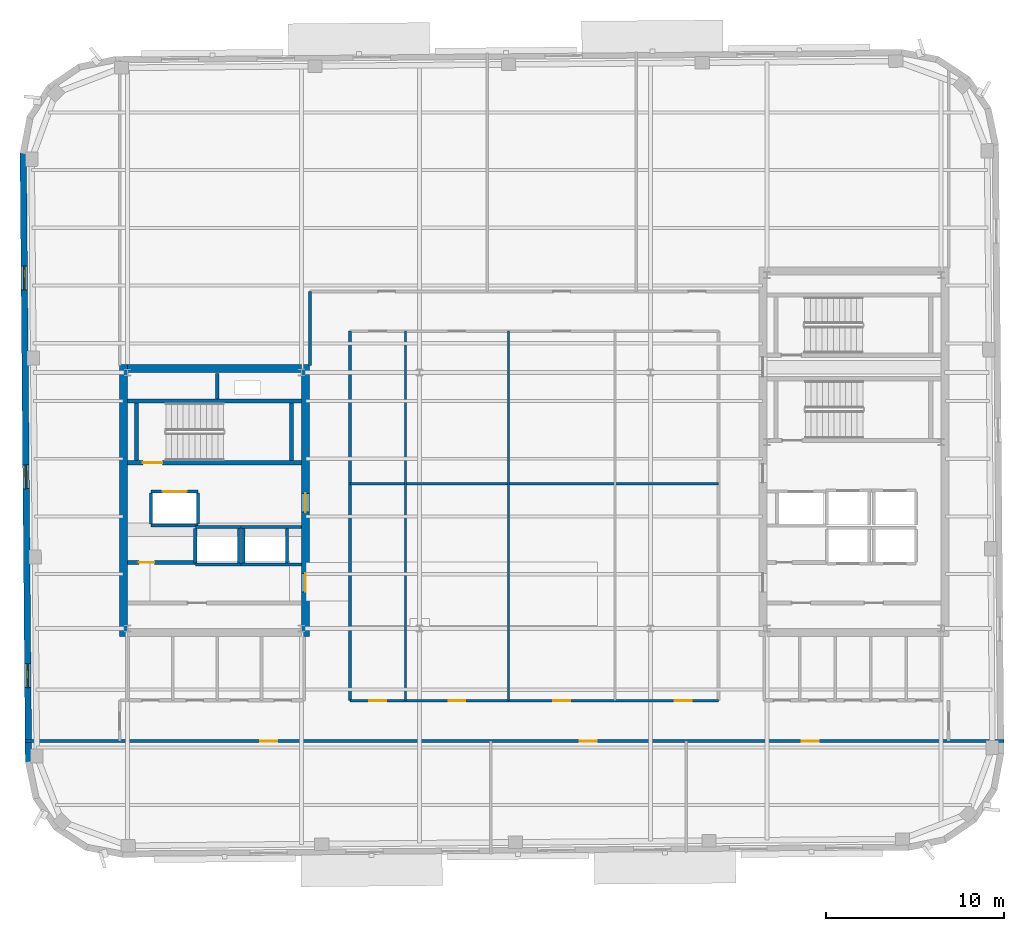
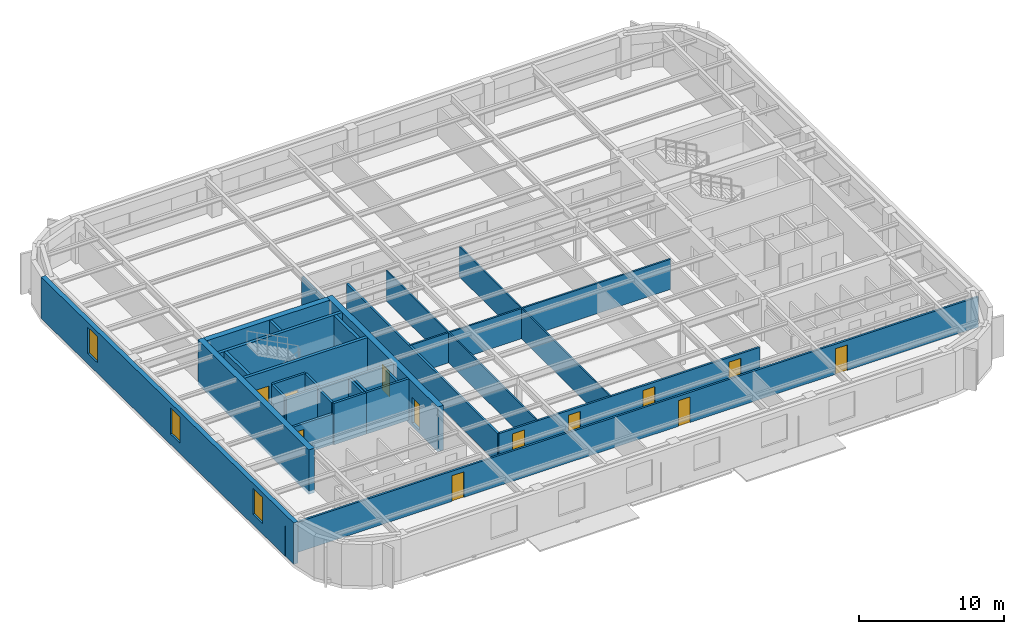
# One storey, part 7 of 15: 29 walls, 12 doors, 3 windows, 15 openings.
"""IFC4 building model written with IfcOpenShell, lengths in metres."""

from ifc_helpers import new_model, si_unit, direction, frame, frame_2d, origin, place, context, subcontext, project, spatial, rectangle, extrude, material, layer, layer_set, type_object, element, fill, save


model = new_model("IFC4")

# Units and contexts
model_context = context("Model", 3, precision=1e-05, world=origin(), true_north=direction((0.0, 1.0)))
body_context = subcontext(model_context, "Body", "Model", "MODEL_VIEW")
ifc_project = project(units=[si_unit("LENGTHUNIT", "METRE"), si_unit("AREAUNIT", "SQUARE_METRE"), si_unit("VOLUMEUNIT", "CUBIC_METRE"), si_unit("PLANEANGLEUNIT", "RADIAN"), si_unit("MASSUNIT", "GRAM", prefix="KILO")], contexts=[model_context])

# Site, building, storey
site_placement = place(None, origin())
site = spatial("IfcSite", under=ifc_project, at=site_placement, CompositionType="ELEMENT")
building_placement = place(site_placement, origin())
building = spatial("IfcBuilding", under=site, at=building_placement, Name="Kolvaren Arena Tower", CompositionType="ELEMENT")
storey_placement = place(building_placement, frame((0.0, 0.0, 304.89990234375)))
storey = spatial("IfcBuildingStorey", under=building, at=storey_placement, Name="L75", CompositionType="ELEMENT", Elevation=304.89990234375)

# Wall, openings, doors
ifc_material_1 = material(Name="Gypsum board acoustic assembly", Category="gypsum")
ifc_layer_1 = layer(ifc_material_1, 0.159912109375)
ifc_layer_set_1 = layer_set([ifc_layer_1], Name="Gypsum board acoustic assembly")
wall_type_1 = type_object("IfcWallType", Name="CORR-160", PredefinedType="PARTITIONING", material=ifc_layer_set_1)
wall_1_placement = place(storey_placement, frame((8.790283203125, 13.10009765625, 0.0), z_axis=(0.0, 0.0, 1.0), x_axis=(1.0, 0.0, 0.0)))
wall_1 = element("IfcWall", 1, at=wall_1_placement, inside=storey, type_object=wall_type_1, Name="Interior Partition Wall (L75)", PredefinedType="PARTITIONING", context=body_context, shape_type="SweptSolid", body=[
    extrude(rectangle(XDim=55.10205078125, YDim=0.159912109375, at=frame_2d((27.551025390625, 0.0))), origin(), (0.0, 0.0, 1.0), 2.5400390625),
])
opening_1_placement = place(wall_1_placement, frame((13.234619140625, 0.0, 0.0)))
opening_1 = element("IfcOpeningElement", 2, at=opening_1_placement, cuts=wall_1, Name="Opening D05", PredefinedType="OPENING", context=body_context, shape_type="SweptSolid", body=[
    extrude(rectangle(XDim=0.949951171875, YDim=2.14990234375, at=frame_2d((0.47509765625, 1.074951171875))), frame((0.0, 0.08984375, 0.0), z_axis=(0.0, -1.0, 0.0), x_axis=(1.0, 0.0, 0.0)), (0.0, 0.0, 1.0), 0.179931640625),
])
opening_2_placement = place(wall_1_placement, frame((31.234619140625, 0.0, 0.0)))
opening_2 = element("IfcOpeningElement", 3, at=opening_2_placement, cuts=wall_1, Name="Opening D05", PredefinedType="OPENING", context=body_context, shape_type="SweptSolid", body=[
    extrude(rectangle(XDim=0.949951171875, YDim=2.14990234375, at=frame_2d((0.47509765625, 1.074951171875))), frame((0.0, 0.08984375, 0.0), z_axis=(0.0, -1.0, 0.0), x_axis=(1.0, 0.0, 0.0)), (0.0, 0.0, 1.0), 0.179931640625),
])
opening_3_placement = place(wall_1_placement, frame((43.734619140625, 0.0, 0.0)))
opening_3 = element("IfcOpeningElement", 4, at=opening_3_placement, cuts=wall_1, Name="Opening D05", PredefinedType="OPENING", context=body_context, shape_type="SweptSolid", body=[
    extrude(rectangle(XDim=0.949951171875, YDim=2.14990234375, at=frame_2d((0.47509765625, 1.074951171875))), frame((0.0, 0.08984375, 0.0), z_axis=(0.0, -1.0, 0.0), x_axis=(1.0, 0.0, 0.0)), (0.0, 0.0, 1.0), 0.179931640625),
])
ifc_material_2 = material(Name="Solid-core oak acoustic office door", Category="wood")
door_type_1 = type_object("IfcDoorType", Name="DOOR-OF-095", OperationType="NOTDEFINED", PredefinedType="DOOR", material=ifc_material_2)
door_1_placement = place(opening_1_placement, origin())
door_1 = element("IfcDoor", 5, at=door_1_placement, inside=storey, type_object=door_type_1, Name="Open Plan Office Door (L75)", OperationType="SINGLE_SWING_LEFT", OverallHeight=2.14990234375, OverallWidth=0.949951171875, PredefinedType="DOOR", context=body_context, shape_type="SweptSolid", body=[
    extrude(rectangle(XDim=0.949951171875, YDim=2.14990234375, at=frame_2d((0.47509765625, 1.074951171875))), frame((0.0, 0.02490234375, 0.0), z_axis=(0.0, -1.0, 0.0), x_axis=(1.0, 0.0, 0.0)), (0.0, 0.0, 1.0), 0.050048828125),
])
fill(opening_1, door_1)
door_2_placement = place(opening_2_placement, origin())
door_2 = element("IfcDoor", 6, at=door_2_placement, inside=storey, type_object=door_type_1, Name="Tenant Reception Area Door (L75)", OperationType="SINGLE_SWING_RIGHT", OverallHeight=2.14990234375, OverallWidth=0.949951171875, PredefinedType="DOOR", context=body_context, shape_type="SweptSolid", body=[
    extrude(rectangle(XDim=0.949951171875, YDim=2.14990234375, at=frame_2d((0.47509765625, 1.074951171875))), frame((0.0, 0.02490234375, 0.0), z_axis=(0.0, -1.0, 0.0), x_axis=(1.0, 0.0, 0.0)), (0.0, 0.0, 1.0), 0.050048828125),
])
fill(opening_2, door_2)
door_3_placement = place(opening_3_placement, origin())
door_3 = element("IfcDoor", 7, at=door_3_placement, inside=storey, type_object=door_type_1, Name="Client Lounge Door (L75)", OperationType="SINGLE_SWING_LEFT", OverallHeight=2.14990234375, OverallWidth=0.949951171875, PredefinedType="DOOR", context=body_context, shape_type="SweptSolid", body=[
    extrude(rectangle(XDim=0.949951171875, YDim=2.14990234375, at=frame_2d((0.47509765625, 1.074951171875))), frame((0.0, 0.02490234375, 0.0), z_axis=(0.0, -1.0, 0.0), x_axis=(1.0, 0.0, 0.0)), (0.0, 0.0, 1.0), 0.050048828125),
])
fill(opening_3, door_3)

# Wall
wall_2_placement = place(storey_placement, frame((24.820068359375, 34.25, 0.0), z_axis=(0.0, 0.0, 1.0), x_axis=(0.0, 1.0, 0.0)))
element("IfcWall", 8, at=wall_2_placement, inside=storey, type_object=wall_type_1, Name="Interior Partition Wall (L75)", PredefinedType="PARTITIONING", context=body_context, shape_type="SweptSolid", body=[
    extrude(rectangle(XDim=4.169921875, YDim=0.159912109375, at=frame_2d((2.0849609375, 0.0))), origin(), (0.0, 0.0, 1.0), 2.5400390625),
])

# Wall, openings, doors
wall_3_placement = place(storey_placement, frame((27.080078125, 15.3798828125, 0.0), z_axis=(0.0, 0.0, 1.0), x_axis=(1.0, 0.0, 0.0)))
wall_3 = element("IfcWall", 9, at=wall_3_placement, inside=storey, type_object=wall_type_1, Name="Interior Partition Wall (L75)", PredefinedType="PARTITIONING", context=body_context, shape_type="SweptSolid", body=[
    extrude(rectangle(XDim=20.739990234375, YDim=0.159912109375, at=frame_2d((10.3701171875, 0.0))), origin(), (0.0, 0.0, 1.0), 2.5400390625),
])
opening_4_placement = place(wall_3_placement, frame((1.094970703125, 0.0, 0.0)))
opening_4 = element("IfcOpeningElement", 10, at=opening_4_placement, cuts=wall_3, Name="Opening D05", PredefinedType="OPENING", context=body_context, shape_type="SweptSolid", body=[
    extrude(rectangle(XDim=0.949951171875, YDim=2.14990234375, at=frame_2d((0.47509765625, 1.074951171875))), frame((0.0, 0.08984375, 0.0), z_axis=(0.0, -1.0, 0.0), x_axis=(1.0, 0.0, 0.0)), (0.0, 0.0, 1.0), 0.179931640625),
])
opening_5_placement = place(wall_3_placement, frame((5.544921875, 0.0, 0.0)))
opening_5 = element("IfcOpeningElement", 11, at=opening_5_placement, cuts=wall_3, Name="Opening D05", PredefinedType="OPENING", context=body_context, shape_type="SweptSolid", body=[
    extrude(rectangle(XDim=0.949951171875, YDim=2.14990234375, at=frame_2d((0.47509765625, 1.074951171875))), frame((0.0, 0.08984375, 0.0), z_axis=(0.0, -1.0, 0.0), x_axis=(1.0, 0.0, 0.0)), (0.0, 0.0, 1.0), 0.179931640625),
])
opening_6_placement = place(wall_3_placement, frame((11.445068359375, 0.0, 0.0)))
opening_6 = element("IfcOpeningElement", 12, at=opening_6_placement, cuts=wall_3, Name="Opening D05", PredefinedType="OPENING", context=body_context, shape_type="SweptSolid", body=[
    extrude(rectangle(XDim=0.949951171875, YDim=2.14990234375, at=frame_2d((0.47509765625, 1.074951171875))), frame((0.0, 0.08984375, 0.0), z_axis=(0.0, -1.0, 0.0), x_axis=(1.0, 0.0, 0.0)), (0.0, 0.0, 1.0), 0.179931640625),
])
opening_7_placement = place(wall_3_placement, frame((18.294921875, 0.0, 0.0)))
opening_7 = element("IfcOpeningElement", 13, at=opening_7_placement, cuts=wall_3, Name="Opening D05", PredefinedType="OPENING", context=body_context, shape_type="SweptSolid", body=[
    extrude(rectangle(XDim=0.949951171875, YDim=2.14990234375, at=frame_2d((0.47509765625, 1.074951171875))), frame((0.0, 0.08984375, 0.0), z_axis=(0.0, -1.0, 0.0), x_axis=(1.0, 0.0, 0.0)), (0.0, 0.0, 1.0), 0.179931640625),
])
door_4_placement = place(opening_4_placement, origin())
door_4 = element("IfcDoor", 14, at=door_4_placement, inside=storey, type_object=door_type_1, Name="Tenant Reception Area Door (L75)", OperationType="SINGLE_SWING_RIGHT", OverallHeight=2.14990234375, OverallWidth=0.949951171875, PredefinedType="DOOR", context=body_context, shape_type="SweptSolid", body=[
    extrude(rectangle(XDim=0.949951171875, YDim=2.14990234375, at=frame_2d((0.47509765625, 1.074951171875))), frame((0.0, 0.02490234375, 0.0), z_axis=(0.0, -1.0, 0.0), x_axis=(1.0, 0.0, 0.0)), (0.0, 0.0, 1.0), 0.050048828125),
])
fill(opening_4, door_4)
door_5_placement = place(opening_5_placement, origin())
door_5 = element("IfcDoor", 15, at=door_5_placement, inside=storey, type_object=door_type_1, Name="Design Studio Door (L75)", OperationType="SINGLE_SWING_RIGHT", OverallHeight=2.14990234375, OverallWidth=0.949951171875, PredefinedType="DOOR", context=body_context, shape_type="SweptSolid", body=[
    extrude(rectangle(XDim=0.949951171875, YDim=2.14990234375, at=frame_2d((0.47509765625, 1.074951171875))), frame((0.0, 0.02490234375, 0.0), z_axis=(0.0, -1.0, 0.0), x_axis=(1.0, 0.0, 0.0)), (0.0, 0.0, 1.0), 0.050048828125),
])
fill(opening_5, door_5)
door_6_placement = place(opening_6_placement, origin())
door_6 = element("IfcDoor", 16, at=door_6_placement, inside=storey, type_object=door_type_1, Name="Breakout Pantry and Kitchen Door (L75)", OperationType="SINGLE_SWING_RIGHT", OverallHeight=2.14990234375, OverallWidth=0.949951171875, PredefinedType="DOOR", context=body_context, shape_type="SweptSolid", body=[
    extrude(rectangle(XDim=0.949951171875, YDim=2.14990234375, at=frame_2d((0.47509765625, 1.074951171875))), frame((0.0, 0.02490234375, 0.0), z_axis=(0.0, -1.0, 0.0), x_axis=(1.0, 0.0, 0.0)), (0.0, 0.0, 1.0), 0.050048828125),
])
fill(opening_6, door_6)
door_7_placement = place(opening_7_placement, origin())
door_7 = element("IfcDoor", 17, at=door_7_placement, inside=storey, type_object=door_type_1, Name="Tenant Reception Area Door (L75)", OperationType="SINGLE_SWING_RIGHT", OverallHeight=2.14990234375, OverallWidth=0.949951171875, PredefinedType="DOOR", context=body_context, shape_type="SweptSolid", body=[
    extrude(rectangle(XDim=0.949951171875, YDim=2.14990234375, at=frame_2d((0.47509765625, 1.074951171875))), frame((0.0, 0.02490234375, 0.0), z_axis=(0.0, -1.0, 0.0), x_axis=(1.0, 0.0, 0.0)), (0.0, 0.0, 1.0), 0.050048828125),
])
fill(opening_7, door_7)

# Walls
wall_4_placement = place(storey_placement, frame((27.080078125, 15.3798828125, 0.0), z_axis=(0.0, 0.0, 1.0), x_axis=(0.0, 1.0, 0.0)))
element("IfcWall", 18, at=wall_4_placement, inside=storey, type_object=wall_type_1, Name="Interior Partition Wall (L75)", PredefinedType="PARTITIONING", context=body_context, shape_type="SweptSolid", body=[
    extrude(rectangle(XDim=20.800048828125, YDim=0.159912109375, at=frame_2d((10.39990234375, 0.0))), origin(), (0.0, 0.0, 1.0), 2.5400390625),
])
ifc_material_3 = material(Name="Concrete 55 MPa", Category="concrete")
ifc_layer_2 = layer(ifc_material_3, 0.449951171875)
ifc_layer_set_2 = layer_set([ifc_layer_2], Name="Concrete 55 MPa")
wall_type_2 = type_object("IfcWallType", Name="CWALL-450", PredefinedType="SHEAR", material=ifc_layer_set_2)
wall_5_placement = place(storey_placement, frame((14.324951171875, 19.0, -0.27001953125), z_axis=(0.0, 0.0, 1.0), x_axis=(0.0, 1.0, 0.0)))
element("IfcWall", 19, at=wall_5_placement, inside=storey, type_object=wall_type_2, Name="Core Shear Wall WC-WEST (L75)", PredefinedType="SHEAR", context=body_context, shape_type="SweptSolid", body=[
    extrude(rectangle(XDim=15.300048828125, YDim=0.449951171875, at=frame_2d((7.64990234375, 0.0))), origin(), (0.0, 0.0, 1.0), 3.75),
])

# Wall, openings, doors
wall_6_placement = place(storey_placement, frame((24.574951171875, 19.0, -0.27001953125), z_axis=(0.0, 0.0, 1.0), x_axis=(0.0, 1.0, 0.0)))
wall_6 = element("IfcWall", 20, at=wall_6_placement, inside=storey, type_object=wall_type_2, Name="Core Shear Wall WC-EAST (L75)", PredefinedType="SHEAR", context=body_context, shape_type="SweptSolid", body=[
    extrude(rectangle(XDim=15.300048828125, YDim=0.449951171875, at=frame_2d((7.64990234375, 0.0))), origin(), (0.0, 0.0, 1.0), 3.75),
])
opening_8_placement = place(wall_6_placement, frame((2.5, 0.0, 0.27001953125)))
opening_8 = element("IfcOpeningElement", 21, at=opening_8_placement, cuts=wall_6, Name="Opening D04", PredefinedType="OPENING", context=body_context, shape_type="SweptSolid", body=[
    extrude(rectangle(XDim=1.050048828125, YDim=2.14990234375, at=frame_2d((0.52490234375, 1.074951171875))), frame((0.0, 0.23486328125, 0.0), z_axis=(0.0, -1.0, 0.0), x_axis=(1.0, 0.0, 0.0)), (0.0, 0.0, 1.0), 0.469970703125),
])
opening_9_placement = place(wall_6_placement, frame((7.0, 0.0, 0.27001953125)))
opening_9 = element("IfcOpeningElement", 22, at=opening_9_placement, cuts=wall_6, Name="Opening D04", PredefinedType="OPENING", context=body_context, shape_type="SweptSolid", body=[
    extrude(rectangle(XDim=1.050048828125, YDim=2.14990234375, at=frame_2d((0.52490234375, 1.074951171875))), frame((0.0, 0.23486328125, 0.0), z_axis=(0.0, -1.0, 0.0), x_axis=(1.0, 0.0, 0.0)), (0.0, 0.0, 1.0), 0.469970703125),
])
ifc_material_4 = material(Name="Fire-rated steel lobby door", Category="steel")
door_type_2 = type_object("IfcDoorType", Name="DOOR-FF-105", OperationType="NOTDEFINED", PredefinedType="DOOR", material=ifc_material_4)
door_8_placement = place(opening_8_placement, origin())
door_8 = element("IfcDoor", 23, at=door_8_placement, inside=storey, type_object=door_type_2, Name="West Lift Lobby Fire Door (L75)", OperationType="SINGLE_SWING_LEFT", OverallHeight=2.14990234375, OverallWidth=1.050048828125, PredefinedType="DOOR", context=body_context, shape_type="SweptSolid", body=[
    extrude(rectangle(XDim=1.050048828125, YDim=2.14990234375, at=frame_2d((0.52490234375, 1.074951171875))), frame((0.0, 0.02490234375, 0.0), z_axis=(0.0, -1.0, 0.0), x_axis=(1.0, 0.0, 0.0)), (0.0, 0.0, 1.0), 0.050048828125),
])
fill(opening_8, door_8)
door_9_placement = place(opening_9_placement, origin())
door_9 = element("IfcDoor", 24, at=door_9_placement, inside=storey, type_object=door_type_2, Name="West Firefighter Vestibule Door (L75)", OperationType="SINGLE_SWING_RIGHT", OverallHeight=2.14990234375, OverallWidth=1.050048828125, PredefinedType="DOOR", context=body_context, shape_type="SweptSolid", body=[
    extrude(rectangle(XDim=1.050048828125, YDim=2.14990234375, at=frame_2d((0.52490234375, 1.074951171875))), frame((0.0, 0.02490234375, 0.0), z_axis=(0.0, -1.0, 0.0), x_axis=(1.0, 0.0, 0.0)), (0.0, 0.0, 1.0), 0.050048828125),
])
fill(opening_9, door_9)

# Wall
wall_7_placement = place(storey_placement, frame((14.550048828125, 34.074951171875, -0.27001953125), z_axis=(0.0, 0.0, 1.0), x_axis=(1.0, 0.0, 0.0)))
element("IfcWall", 25, at=wall_7_placement, inside=storey, type_object=wall_type_2, Name="Core Shear Wall WC-NORTH (L75)", PredefinedType="SHEAR", context=body_context, shape_type="SweptSolid", body=[
    extrude(rectangle(XDim=9.800048828125, YDim=0.449951171875, at=frame_2d((4.89990234375, 0.0))), origin(), (0.0, 0.0, 1.0), 3.75),
])

# Wall, openings, windows
ifc_material_5 = material(Name="Precast concrete C50/60", Category="concrete")
ifc_layer_3 = layer(ifc_material_5, 0.360107421875)
ifc_layer_set_3 = layer_set([ifc_layer_3], Name="Precast concrete C50/60")
wall_type_3 = type_object("IfcWallType", Name="EXT-PIER2", PredefinedType="SOLIDWALL", material=ifc_layer_set_3)
wall_8_placement = place(storey_placement, frame((8.980712890625, 11.911865234375, 0.0), z_axis=(0.0, 0.0, 1.0), x_axis=(-0.008726453825, 0.999961923777, 0.0)))
wall_8 = element("IfcWall", 26, at=wall_8_placement, inside=storey, type_object=wall_type_3, Name="Exterior Precast Masonry-Frame Wall (L75)", PredefinedType="SOLIDWALL", context=body_context, shape_type="SweptSolid", body=[
    extrude(rectangle(XDim=34.2998046875, YDim=0.360107421875, at=frame_2d((17.14990234375, 0.0))), origin(), (0.0, 0.0, 1.0), 3.47998046875),
])
opening_10_placement = place(wall_8_placement, frame((4.199951171875, 0.0, 0.8798828125)))
opening_10 = element("IfcOpeningElement", 27, at=opening_10_placement, cuts=wall_8, Name="Opening W04", PredefinedType="OPENING", context=body_context, shape_type="SweptSolid", body=[
    extrude(rectangle(XDim=1.35009765625, YDim=2.199951171875, at=frame_2d((0.675048828125, 1.10009765625))), frame((0.0, 0.18994140625, 0.0), z_axis=(0.0, -1.0, 0.0), x_axis=(1.0, 0.0, 0.0)), (0.0, 0.0, 1.0), 0.380126953125),
])
opening_11_placement = place(wall_8_placement, frame((15.39990234375, 0.0, 0.8798828125)))
opening_11 = element("IfcOpeningElement", 28, at=opening_11_placement, cuts=wall_8, Name="Opening W04", PredefinedType="OPENING", context=body_context, shape_type="SweptSolid", body=[
    extrude(rectangle(XDim=1.35009765625, YDim=2.199951171875, at=frame_2d((0.675048828125, 1.10009765625))), frame((0.0, 0.18994140625, 0.0), z_axis=(0.0, -1.0, 0.0), x_axis=(1.0, 0.0, 0.0)), (0.0, 0.0, 1.0), 0.380126953125),
])
opening_12_placement = place(wall_8_placement, frame((26.60009765625, 0.0, 0.8798828125)))
opening_12 = element("IfcOpeningElement", 29, at=opening_12_placement, cuts=wall_8, Name="Opening W04", PredefinedType="OPENING", context=body_context, shape_type="SweptSolid", body=[
    extrude(rectangle(XDim=1.35009765625, YDim=2.199951171875, at=frame_2d((0.675048828125, 1.10009765625))), frame((0.0, 0.18994140625, 0.0), z_axis=(0.0, -1.0, 0.0), x_axis=(1.0, 0.0, 0.0)), (0.0, 0.0, 1.0), 0.380126953125),
])
ifc_material_6 = material(Name="Triple-glazed curved-facet corner window", Category="glass")
window_type = type_object("IfcWindowType", Name="WIN-CRN-A", PartitioningType="SINGLE_PANEL", PredefinedType="WINDOW", material=ifc_material_6)
window_1_placement = place(opening_10_placement, origin())
window_1 = element("IfcWindow", 30, at=window_1_placement, inside=storey, type_object=window_type, Name="End-Wall Punched Window (L75)", OverallHeight=2.199951171875, OverallWidth=1.35009765625, PartitioningType="SINGLE_PANEL", PredefinedType="WINDOW", context=body_context, shape_type="SweptSolid", body=[
    extrude(rectangle(XDim=1.35009765625, YDim=2.199951171875, at=frame_2d((0.675048828125, 1.10009765625))), frame((0.0, 0.030029296875, 0.0), z_axis=(0.0, -1.0, 0.0), x_axis=(1.0, 0.0, 0.0)), (0.0, 0.0, 1.0), 0.06005859375),
])
fill(opening_10, window_1)
window_2_placement = place(opening_11_placement, origin())
window_2 = element("IfcWindow", 31, at=window_2_placement, inside=storey, type_object=window_type, Name="End-Wall Punched Window (L75)", OverallHeight=2.199951171875, OverallWidth=1.35009765625, PartitioningType="SINGLE_PANEL", PredefinedType="WINDOW", context=body_context, shape_type="SweptSolid", body=[
    extrude(rectangle(XDim=1.35009765625, YDim=2.199951171875, at=frame_2d((0.675048828125, 1.10009765625))), frame((0.0, 0.030029296875, 0.0), z_axis=(0.0, -1.0, 0.0), x_axis=(1.0, 0.0, 0.0)), (0.0, 0.0, 1.0), 0.06005859375),
])
fill(opening_11, window_2)
window_3_placement = place(opening_12_placement, origin())
window_3 = element("IfcWindow", 32, at=window_3_placement, inside=storey, type_object=window_type, Name="End-Wall Punched Window (L75)", OverallHeight=2.199951171875, OverallWidth=1.35009765625, PartitioningType="SINGLE_PANEL", PredefinedType="WINDOW", context=body_context, shape_type="SweptSolid", body=[
    extrude(rectangle(XDim=1.35009765625, YDim=2.199951171875, at=frame_2d((0.675048828125, 1.10009765625))), frame((0.0, 0.030029296875, 0.0), z_axis=(0.0, -1.0, 0.0), x_axis=(1.0, 0.0, 0.0)), (0.0, 0.0, 1.0), 0.06005859375),
])
fill(opening_12, window_3)

# Wall, opening, door
ifc_material_7 = material(Name="Concrete 40 MPa", Category="concrete")
ifc_layer_4 = layer(ifc_material_7, 0.199951171875)
ifc_layer_set_4 = layer_set([ifc_layer_4], Name="Concrete 40 MPa")
wall_type_4 = type_object("IfcWallType", Name="LOBBY-200", PredefinedType="SOLIDWALL", material=ifc_layer_set_4)
wall_9_placement = place(storey_placement, frame((14.550048828125, 23.159912109375, 0.0), z_axis=(0.0, 0.0, 1.0), x_axis=(1.0, 0.0, 0.0)))
wall_9 = element("IfcWall", 33, at=wall_9_placement, inside=storey, type_object=wall_type_4, Name="Core Shaft Wall (L75)", PredefinedType="SOLIDWALL", context=body_context, shape_type="SweptSolid", body=[
    extrude(rectangle(XDim=3.820068359375, YDim=0.199951171875, at=frame_2d((1.91015625, 0.0))), origin(), (0.0, 0.0, 1.0), 2.5400390625),
])
opening_13_placement = place(wall_9_placement, frame((0.64990234375, 0.0, 0.0)))
opening_13 = element("IfcOpeningElement", 34, at=opening_13_placement, cuts=wall_9, Name="Opening D09", PredefinedType="OPENING", context=body_context, shape_type="SweptSolid", body=[
    extrude(rectangle(XDim=0.860107421875, YDim=2.050048828125, at=frame_2d((0.43017578125, 1.02490234375))), frame((0.0, 0.10986328125, 0.0), z_axis=(0.0, -1.0, 0.0), x_axis=(1.0, 0.0, 0.0)), (0.0, 0.0, 1.0), 0.219970703125),
])
ifc_material_8 = material(Name="Fire-rated steel riser access door", Category="steel")
door_type_3 = type_object("IfcDoorType", Name="DOOR-RS-086", OperationType="NOTDEFINED", PredefinedType="DOOR", material=ifc_material_8)
door_10_placement = place(opening_13_placement, origin())
door_10 = element("IfcDoor", 35, at=door_10_placement, inside=storey, type_object=door_type_3, Name="West Document Archive Riser Door (L75)", OperationType="SINGLE_SWING_RIGHT", OverallHeight=2.050048828125, OverallWidth=0.860107421875, PredefinedType="DOOR", context=body_context, shape_type="SweptSolid", body=[
    extrude(rectangle(XDim=0.860107421875, YDim=2.050048828125, at=frame_2d((0.43017578125, 1.02490234375))), frame((0.0, 0.02490234375, 0.0), z_axis=(0.0, -1.0, 0.0), x_axis=(1.0, 0.0, 0.0)), (0.0, 0.0, 1.0), 0.050048828125),
])
fill(opening_13, door_10)

# Walls
ifc_material_9 = material(Name="Gypsum board partition assembly", Category="gypsum")
ifc_layer_5 = layer(ifc_material_9, 0.114990234375)
ifc_layer_set_5 = layer_set([ifc_layer_5], Name="Gypsum board partition assembly")
wall_type_5 = type_object("IfcWallType", Name="PART-115", PredefinedType="PARTITIONING", material=ifc_layer_set_5)
for number, where, z_axis, x_axis, name in (
    (36, (30.199951171875, 15.3798828125, 0.0), (0.0, 0.0, 1.0), (0.0, 1.0, 0.0), "Interior Partition Wall (L75)"),
    (37, (36.0, 15.3798828125, 0.0), (0.0, 0.0, 1.0), (0.0, 1.0, 0.0), "Interior Partition Wall (L75)"),
):
    element("IfcWall", number, at=place(storey_placement, frame(where, z_axis=z_axis, x_axis=x_axis)), inside=storey, type_object=wall_type_5, Name=name, PredefinedType="PARTITIONING", context=body_context, shape_type="SweptSolid", body=[
        extrude(rectangle(XDim=20.800048828125, YDim=0.114990234375, at=frame_2d((10.39990234375, 0.0))), origin(), (0.0, 0.0, 1.0), 2.5400390625),
    ])
ifc_layer_6 = layer(ifc_material_9, 0.135009765625)
ifc_layer_set_6 = layer_set([ifc_layer_6], Name="Gypsum board partition assembly")
wall_type_6 = type_object("IfcWallType", Name="PART-135", PredefinedType="PARTITIONING", material=ifc_layer_set_6)
wall_10_placement = place(storey_placement, frame((27.080078125, 27.60009765625, 0.0), z_axis=(0.0, 0.0, 1.0), x_axis=(1.0, 0.0, 0.0)))
element("IfcWall", 38, at=wall_10_placement, inside=storey, type_object=wall_type_6, Name="Interior Partition Wall (L75)", PredefinedType="PARTITIONING", context=body_context, shape_type="SweptSolid", body=[
    extrude(rectangle(XDim=20.739990234375, YDim=0.135009765625, at=frame_2d((10.3701171875, 0.0))), origin(), (0.0, 0.0, 1.0), 2.5400390625),
])

# Wall, opening, door
ifc_material_10 = material(Name="Concrete 45 MPa", Category="concrete")
ifc_layer_7 = layer(ifc_material_10, 0.25)
ifc_layer_set_7 = layer_set([ifc_layer_7], Name="Concrete 45 MPa")
wall_type_7 = type_object("IfcWallType", Name="SHAFT-250", PredefinedType="SOLIDWALL", material=ifc_layer_set_7)
wall_11_placement = place(storey_placement, frame((24.35009765625, 28.780029296875, 0.0), z_axis=(0.0, 0.0, 1.0), x_axis=(-1.0, 0.0, 0.0)))
wall_11 = element("IfcWall", 39, at=wall_11_placement, inside=storey, type_object=wall_type_7, Name="Core Shaft Wall (L75)", PredefinedType="SOLIDWALL", context=body_context, shape_type="SweptSolid", body=[
    extrude(rectangle(XDim=9.800048828125, YDim=0.239990234375, at=frame_2d((4.89990234375, 0.0))), origin(), (0.0, 0.0, 1.0), 3.47998046875),
])
opening_14_placement = place(wall_11_placement, frame((7.830078125, 0.0, 0.0)))
opening_14 = element("IfcOpeningElement", 40, at=opening_14_placement, cuts=wall_11, Name="Opening D03", PredefinedType="OPENING", context=body_context, shape_type="SweptSolid", body=[
    extrude(rectangle(XDim=1.10009765625, YDim=2.14990234375, at=frame_2d((0.550048828125, 1.074951171875))), frame((0.0, 0.1298828125, 0.0), z_axis=(0.0, -1.0, 0.0), x_axis=(1.0, 0.0, 0.0)), (0.0, 0.0, 1.0), 0.260009765625),
])
ifc_material_11 = material(Name="Fire-rated steel exit stair door", Category="steel")
door_type_4 = type_object("IfcDoorType", Name="DOOR-ST-110", OperationType="NOTDEFINED", PredefinedType="DOOR", material=ifc_material_11)
door_11_placement = place(opening_14_placement, origin())
door_11 = element("IfcDoor", 41, at=door_11_placement, inside=storey, type_object=door_type_4, Name="Stair ST-W1 Fire Door (L75)", OperationType="SINGLE_SWING_RIGHT", OverallHeight=2.14990234375, OverallWidth=1.10009765625, PredefinedType="DOOR", context=body_context, shape_type="SweptSolid", body=[
    extrude(rectangle(XDim=1.10009765625, YDim=2.14990234375, at=frame_2d((0.550048828125, 1.074951171875))), frame((0.0, 0.02490234375, 0.0), z_axis=(0.0, -1.0, 0.0), x_axis=(1.0, 0.0, 0.0)), (0.0, 0.0, 1.0), 0.050048828125),
])
fill(opening_14, door_11)

# Walls
wall_12_placement = place(storey_placement, frame((14.550048828125, 32.25, 0.0), z_axis=(0.0, 0.0, 1.0), x_axis=(1.0, 0.0, 0.0)))
element("IfcWall", 42, at=wall_12_placement, inside=storey, type_object=wall_type_7, Name="Core Shaft Wall (L75)", PredefinedType="SOLIDWALL", context=body_context, shape_type="SweptSolid", body=[
    extrude(rectangle(XDim=9.800048828125, YDim=0.239990234375, at=frame_2d((4.89990234375, 0.0))), origin(), (0.0, 0.0, 1.0), 3.47998046875),
])
for number, where, z_axis, x_axis, name in (
    (43, (15.06005859375, 28.89990234375, 0.0), (0.0, 0.0, 1.0), (0.0, 1.0, 0.0), "Core Shaft Wall (L75)"),
    (44, (23.780029296875, 28.89990234375, 0.0), (0.0, 0.0, 1.0), (0.0, 1.0, 0.0), "Core Shaft Wall (L75)"),
):
    element("IfcWall", number, at=place(storey_placement, frame(where, z_axis=z_axis, x_axis=x_axis)), inside=storey, type_object=wall_type_7, Name=name, PredefinedType="SOLIDWALL", context=body_context, shape_type="SweptSolid", body=[
        extrude(rectangle(XDim=3.22998046875, YDim=0.239990234375, at=frame_2d((1.614990234375, 0.0))), origin(), (0.0, 0.0, 1.0), 3.47998046875),
    ])
wall_13_placement = place(storey_placement, frame((19.60009765625, 32.3701171875, 0.0), z_axis=(0.0, 0.0, 1.0), x_axis=(0.0, 1.0, 0.0)))
element("IfcWall", 45, at=wall_13_placement, inside=storey, type_object=wall_type_7, Name="Core Shaft Wall (L75)", PredefinedType="SOLIDWALL", context=body_context, shape_type="SweptSolid", body=[
    extrude(rectangle(XDim=1.429931640625, YDim=0.199951171875, at=frame_2d((0.71484375, 0.0))), origin(), (0.0, 0.0, 1.0), 3.47998046875),
])
for number, where, z_axis, x_axis, name in (
    (46, (18.3701171875, 25.155029296875, 0.0), (0.0, 0.0, 1.0), (1.0, 0.0, 0.0), "Core Shaft Wall (L75)"),
    (47, (18.3701171875, 23.044921875, 0.0), (0.0, 0.0, 1.0), (1.0, 0.0, 0.0), "Core Shaft Wall (L75)"),
):
    element("IfcWall", number, at=place(storey_placement, frame(where, z_axis=z_axis, x_axis=x_axis)), inside=storey, type_object=wall_type_7, Name=name, PredefinedType="SOLIDWALL", context=body_context, shape_type="SweptSolid", body=[
        extrude(rectangle(XDim=2.579833984375, YDim=0.179931640625, at=frame_2d((1.2900390625, 0.0))), origin(), (0.0, 0.0, 1.0), 3.47998046875),
    ])
for number, where, z_axis, x_axis, name in (
    (48, (18.3701171875, 23.135009765625, 0.0), (0.0, 0.0, 1.0), (0.0, 1.0, 0.0), "Core Shaft Wall (L75)"),
    (49, (20.830078125, 23.135009765625, 0.0), (0.0, 0.0, 1.0), (0.0, 1.0, 0.0), "Core Shaft Wall (L75)"),
):
    element("IfcWall", number, at=place(storey_placement, frame(where, z_axis=z_axis, x_axis=x_axis)), inside=storey, type_object=wall_type_7, Name=name, PredefinedType="SOLIDWALL", context=body_context, shape_type="SweptSolid", body=[
        extrude(rectangle(XDim=1.929931640625, YDim=0.179931640625, at=frame_2d((0.96484375, 0.0))), origin(), (0.0, 0.0, 1.0), 3.47998046875),
    ])
for number, where, z_axis, x_axis, name in (
    (50, (20.949951171875, 25.155029296875, 0.0), (0.0, 0.0, 1.0), (1.0, 0.0, 0.0), "Core Shaft Wall (L75)"),
    (51, (20.949951171875, 23.044921875, 0.0), (0.0, 0.0, 1.0), (1.0, 0.0, 0.0), "Core Shaft Wall (L75)"),
):
    element("IfcWall", number, at=place(storey_placement, frame(where, z_axis=z_axis, x_axis=x_axis)), inside=storey, type_object=wall_type_7, Name=name, PredefinedType="SOLIDWALL", context=body_context, shape_type="SweptSolid", body=[
        extrude(rectangle(XDim=3.400146484375, YDim=0.179931640625, at=frame_2d((1.7001953125, 0.0))), origin(), (0.0, 0.0, 1.0), 3.47998046875),
    ])
for number, where, z_axis, x_axis, name in (
    (52, (21.070068359375, 23.135009765625, 0.0), (0.0, 0.0, 1.0), (0.0, 1.0, 0.0), "Core Shaft Wall (L75)"),
    (53, (23.530029296875, 23.135009765625, 0.0), (0.0, 0.0, 1.0), (0.0, 1.0, 0.0), "Core Shaft Wall (L75)"),
):
    element("IfcWall", number, at=place(storey_placement, frame(where, z_axis=z_axis, x_axis=x_axis)), inside=storey, type_object=wall_type_7, Name=name, PredefinedType="SOLIDWALL", context=body_context, shape_type="SweptSolid", body=[
        extrude(rectangle(XDim=1.929931640625, YDim=0.179931640625, at=frame_2d((0.96484375, 0.0))), origin(), (0.0, 0.0, 1.0), 3.47998046875),
    ])

# Wall, opening, door
wall_14_placement = place(storey_placement, frame((15.8701171875, 27.155029296875, 0.0), z_axis=(0.0, 0.0, 1.0), x_axis=(1.0, 0.0, 0.0)))
wall_14 = element("IfcWall", 54, at=wall_14_placement, inside=storey, type_object=wall_type_7, Name="Core Shaft Wall (L75)", PredefinedType="SOLIDWALL", context=body_context, shape_type="SweptSolid", body=[
    extrude(rectangle(XDim=2.659912109375, YDim=0.179931640625, at=frame_2d((1.330078125, 0.0))), origin(), (0.0, 0.0, 1.0), 3.47998046875),
])
opening_15_placement = place(wall_14_placement, frame((0.655029296875, 0.0, 0.0)))
opening_15 = element("IfcOpeningElement", 55, at=opening_15_placement, cuts=wall_14, Name="Opening LD2", PredefinedType="OPENING", context=body_context, shape_type="SweptSolid", body=[
    extrude(rectangle(XDim=1.35009765625, YDim=2.300048828125, at=frame_2d((0.675048828125, 1.14990234375))), frame((0.0, 0.099853515625, 0.0), z_axis=(0.0, -1.0, 0.0), x_axis=(1.0, 0.0, 0.0)), (0.0, 0.0, 1.0), 0.199951171875),
])
ifc_material_12 = material(Name="Stainless steel firefighter lift landing door", Category="steel")
door_type_5 = type_object("IfcDoorType", Name="DOOR-LD-135", OperationType="DOUBLE_DOOR_SLIDING", PredefinedType="DOOR", material=ifc_material_12)
door_12_placement = place(opening_15_placement, origin())
door_12 = element("IfcDoor", 56, at=door_12_placement, inside=storey, type_object=door_type_5, Name="Firefighter Lift FF-W1 Landing Door (L75)", OperationType="DOUBLE_DOOR_SLIDING", OverallHeight=2.300048828125, OverallWidth=1.35009765625, PredefinedType="DOOR", context=body_context, shape_type="SweptSolid", body=[
    extrude(rectangle(XDim=1.35009765625, YDim=2.300048828125, at=frame_2d((0.675048828125, 1.14990234375))), frame((0.0, 0.02490234375, 0.0), z_axis=(0.0, -1.0, 0.0), x_axis=(1.0, 0.0, 0.0)), (0.0, 0.0, 1.0), 0.050048828125),
])
fill(opening_15, door_12)

# Walls
wall_15_placement = place(storey_placement, frame((15.8701171875, 25.2451171875, 0.0), z_axis=(0.0, 0.0, 1.0), x_axis=(1.0, 0.0, 0.0)))
element("IfcWall", 57, at=wall_15_placement, inside=storey, type_object=wall_type_7, Name="Core Shaft Wall (L75)", PredefinedType="SOLIDWALL", context=body_context, shape_type="SweptSolid", body=[
    extrude(rectangle(XDim=2.659912109375, YDim=0.179931640625, at=frame_2d((1.330078125, 0.0))), origin(), (0.0, 0.0, 1.0), 3.47998046875),
])
for number, where, z_axis, x_axis, name in (
    (58, (15.8701171875, 25.3349609375, 0.0), (0.0, 0.0, 1.0), (0.0, 1.0, 0.0), "Core Shaft Wall (L75)"),
    (59, (18.530029296875, 25.3349609375, 0.0), (0.0, 0.0, 1.0), (0.0, 1.0, 0.0), "Core Shaft Wall (L75)"),
):
    element("IfcWall", number, at=place(storey_placement, frame(where, z_axis=z_axis, x_axis=x_axis)), inside=storey, type_object=wall_type_7, Name=name, PredefinedType="SOLIDWALL", context=body_context, shape_type="SweptSolid", body=[
        extrude(rectangle(XDim=1.72998046875, YDim=0.179931640625, at=frame_2d((0.864990234375, 0.0))), origin(), (0.0, 0.0, 1.0), 3.47998046875),
    ])

save(model, "model.ifc")
